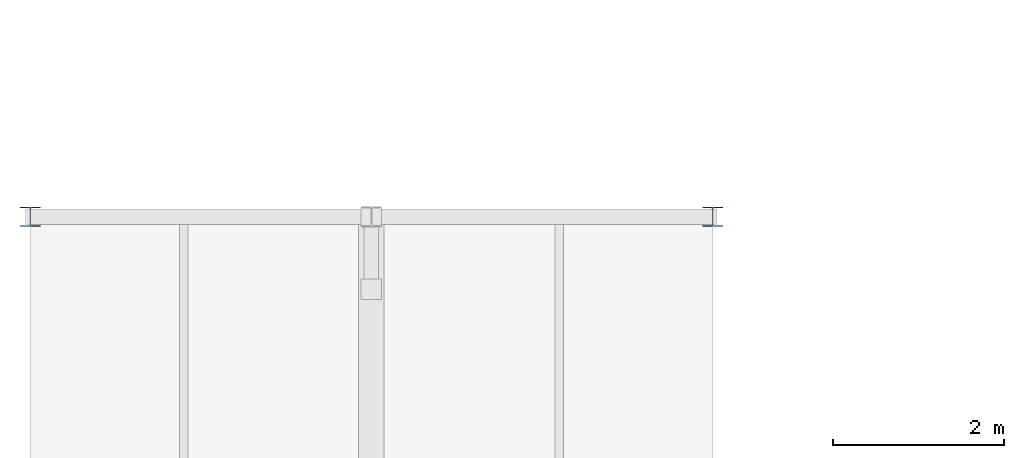
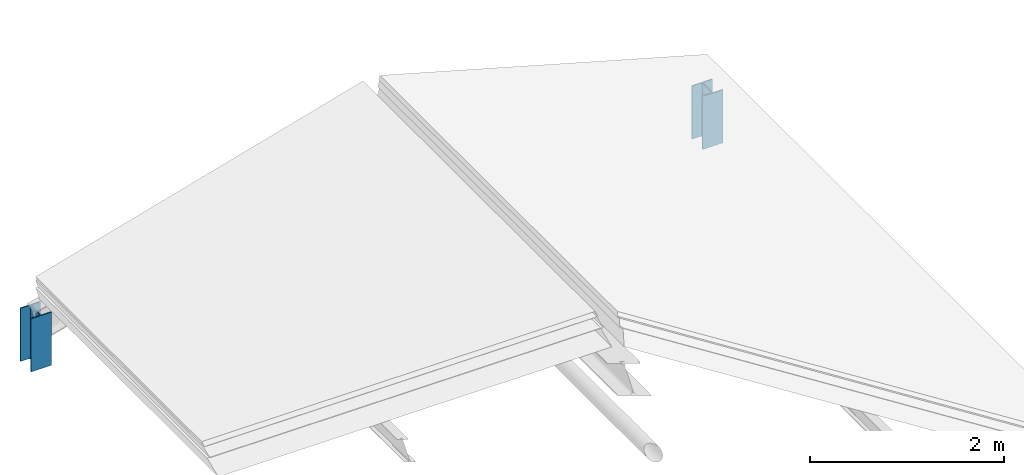
# One storey, part 32 of 67: 2 members.
"""IFC4 building model written with IfcOpenShell, lengths in metres."""

from ifc_helpers import new_model, si_unit, direction, frame, origin, origin_2d, place, context, subcontext, project, spatial, i_section, extrude, material, material_profile, profile_set, type_object, element, save


model = new_model("IFC4")

# Units and contexts
model_context = context("Model", 3, precision=1e-05, world=origin(), true_north=direction((0.0, 1.0)))
body_context = subcontext(model_context, "Body", "Model", "MODEL_VIEW")
ifc_project = project(units=[si_unit("LENGTHUNIT", "METRE"), si_unit("AREAUNIT", "SQUARE_METRE"), si_unit("VOLUMEUNIT", "CUBIC_METRE"), si_unit("PLANEANGLEUNIT", "RADIAN"), si_unit("MASSUNIT", "GRAM", prefix="KILO")], contexts=[model_context])

# Site, building, storey
site_placement = place(None, origin())
site = spatial("IfcSite", under=ifc_project, at=site_placement, CompositionType="ELEMENT")
building_placement = place(site_placement, origin())
building = spatial("IfcBuilding", under=site, at=building_placement, Name="Kenh Van Central Station", CompositionType="ELEMENT")
storey_placement = place(building_placement, frame((0.0, 0.0, 10.800048828125)))
storey = spatial("IfcBuildingStorey", under=building, at=storey_placement, Name="L02", CompositionType="ELEMENT", Elevation=10.800048828125)

# Members
ifc_material = material(Name="Steel S355", Category="steel")
ifc_material_profile = material_profile(ifc_material, i_section(OverallWidth=0.239990234375, OverallDepth=0.22998046875, WebThickness=0.007568359375, FlangeThickness=0.011962890625, FilletRadius=0.02099609375, at=origin_2d()), Name="HEA 240")
ifc_profile_set = profile_set([ifc_material_profile], Name="Steel S355")
member_type = type_object("IfcMemberType", Name="MEM-ROOF-POST240", PredefinedType="POST", material=ifc_profile_set)
for number, where, z_axis, x_axis, name in (
    (1, (0.0, 64.0, -0.949951171875), (0.0, 0.0, 1.0), (1.0, 0.0, 0.0), "L02 roof eave post 141"),
    (2, (8.0, 64.0, -0.949951171875), (0.0, 0.0, 1.0), (1.0, 0.0, 0.0), "L02 roof eave post 141"),
):
    element("IfcMember", number, at=place(storey_placement, frame(where, z_axis=z_axis, x_axis=x_axis)), inside=storey, type_object=member_type, Name=name, PredefinedType="POST", context=body_context, shape_type="SweptSolid", body=[
        extrude(i_section(OverallWidth=0.239990234375, OverallDepth=0.22998046875, WebThickness=0.007568359375, FlangeThickness=0.011962890625, FilletRadius=0.02099609375, at=origin_2d()), origin(), (0.0, 0.0, 1.0), 0.670654296875),
    ])

save(model, "model.ifc")
